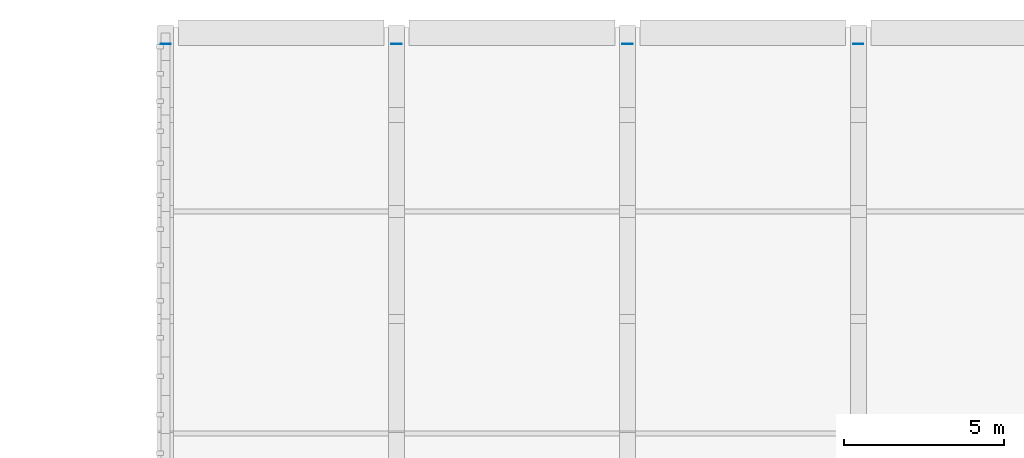
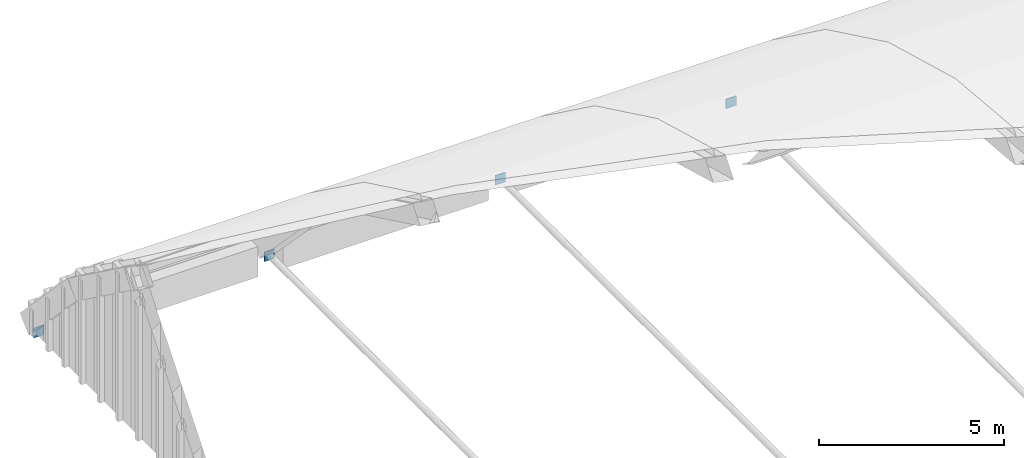
# One storey, part 9 of 16: 4 plates.
"""IFC4 building model written with IfcOpenShell, lengths in metres."""

from ifc_helpers import new_model, si_unit, direction, frame, origin, origin_2d, place, context, subcontext, project, spatial, rectangle, extrude, material, layer, layer_set, type_object, element, save


model = new_model("IFC4")

# Units and contexts
model_context = context("Model", 3, precision=1e-05, world=origin(), true_north=direction((0.0, 1.0)))
body_context = subcontext(model_context, "Body", "Model", "MODEL_VIEW")
ifc_project = project(units=[si_unit("LENGTHUNIT", "METRE"), si_unit("AREAUNIT", "SQUARE_METRE"), si_unit("VOLUMEUNIT", "CUBIC_METRE"), si_unit("PLANEANGLEUNIT", "RADIAN"), si_unit("MASSUNIT", "GRAM", prefix="KILO")], contexts=[model_context])

# Site, building, storey
site_placement = place(None, origin())
site = spatial("IfcSite", under=ifc_project, at=site_placement, CompositionType="ELEMENT")
building_placement = place(site_placement, origin())
building = spatial("IfcBuilding", under=site, at=building_placement, Name="Sardonyx Promenade Sports Hall", CompositionType="ELEMENT")
storey_placement = place(building_placement, frame((0.0, 0.0, 24.800048828125)))
storey = spatial("IfcBuildingStorey", under=building, at=storey_placement, Name="RF", CompositionType="ELEMENT", Elevation=24.800048828125)

# Plates
ifc_material = material(Name="Steel S355JR", Category="steel")
ifc_layer = layer(ifc_material, 0.01611328125)
ifc_layer_set = layer_set([ifc_layer], Name="Plt_EndCap_EC2")
plate_type = type_object("IfcPlateType", Name="Plt_EndCap_EC2", PredefinedType="USERDEFINED", material=ifc_layer_set)
for number, where, z_axis, x_axis, name in (
    (1, (28.800048828125, 104.05810546875, -4.60986328125), (0.0, 0.0, 1.0), (1.0, 0.0, 0.0), "Tie-rod end-cap plate V1 5 N"),
    (2, (36.0, 104.05810546875, -4.60986328125), (0.0, 0.0, 1.0), (1.0, 0.0, 0.0), "Tie-rod end-cap plate V1 6 N"),
    (3, (43.199951171875, 104.05810546875, -4.60986328125), (0.0, 0.0, 1.0), (1.0, 0.0, 0.0), "Tie-rod end-cap plate V1 7 N"),
    (4, (50.39990234375, 104.05810546875, -4.60986328125), (0.0, 0.0, 1.0), (1.0, 0.0, 0.0), "Tie-rod end-cap plate V1 8 N"),
):
    element("IfcPlate", number, at=place(storey_placement, frame(where, z_axis=z_axis, x_axis=x_axis)), inside=storey, type_object=plate_type, Name=name, ObjectType="END CAP PLATE", PredefinedType="USERDEFINED", context=body_context, shape_type="SweptSolid", body=[
        extrude(rectangle(XDim=0.320068359375, YDim=0.01611328125, at=origin_2d()), origin(), (0.0, 0.0, 1.0), 0.320068359375),
    ])

save(model, "model.ifc")
